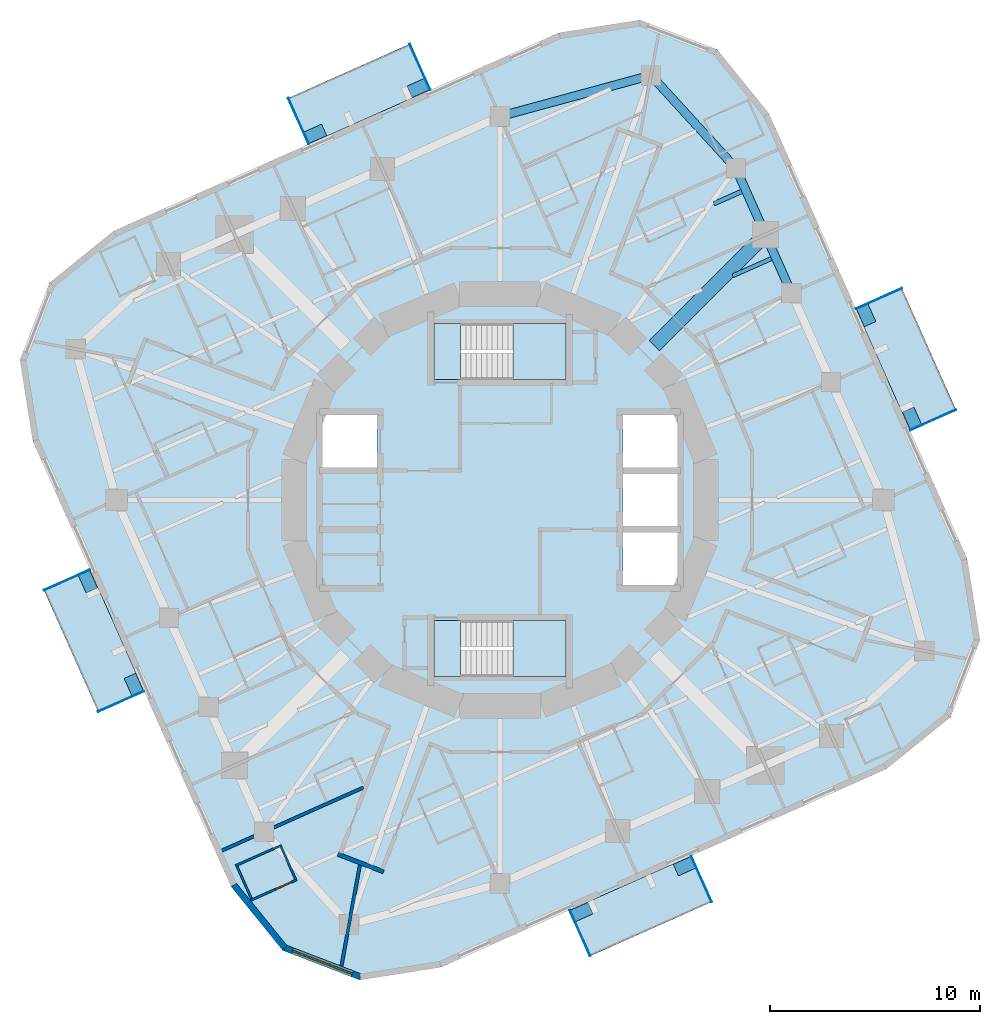
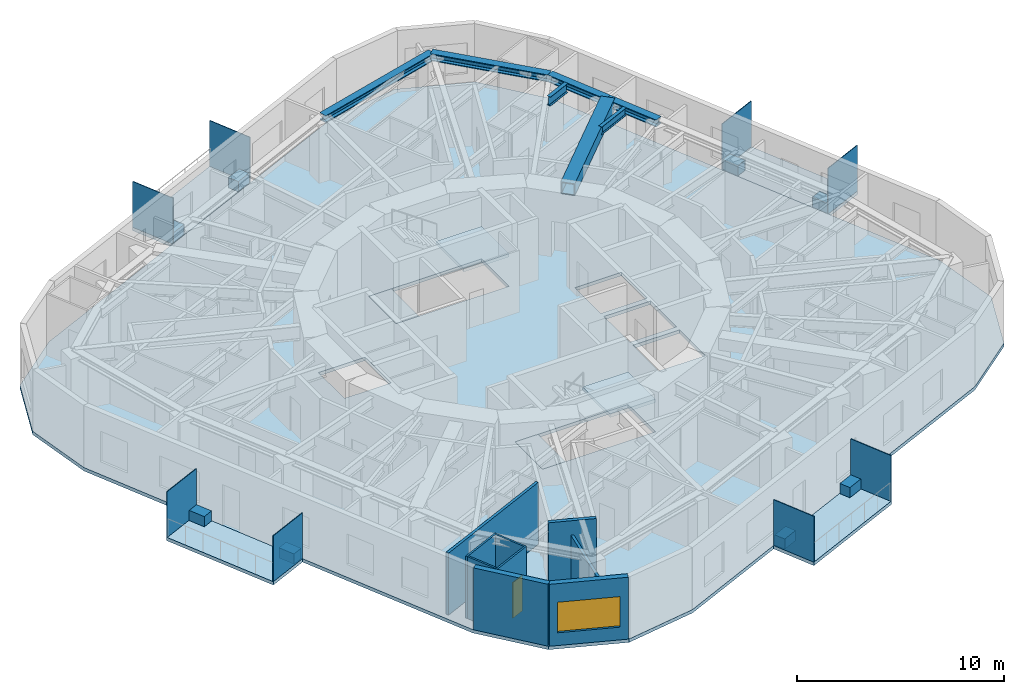
# One storey, part 3 of 12: 16 plates, 9 slabs, 9 walls, 5 members, 2 beams, 1 door, 1 window, 2 openings, 2 elements without a shape of their own.
"""IFC4 building model written with IfcOpenShell, lengths in metres."""

from ifc_helpers import new_model, si_unit, direction, frame, frame_2d, origin, origin_2d, place, context, subcontext, project, spatial, polyline, rectangle, hollow_rectangle, i_section, outline, extrude, material, layer, layer_set, material_profile, profile_set, type_object, element, fill, aggregate, save


model = new_model("IFC4")

# Units and contexts
model_context = context("Model", 3, precision=1e-05, world=origin(), true_north=direction((0.0, 1.0)))
body_context = subcontext(model_context, "Body", "Model", "MODEL_VIEW")
ifc_project = project(units=[si_unit("LENGTHUNIT", "METRE"), si_unit("AREAUNIT", "SQUARE_METRE"), si_unit("VOLUMEUNIT", "CUBIC_METRE"), si_unit("PLANEANGLEUNIT", "RADIAN"), si_unit("MASSUNIT", "GRAM", prefix="KILO")], contexts=[model_context])

# Site, building, storey
site_placement = place(None, origin())
site = spatial("IfcSite", under=ifc_project, at=site_placement, CompositionType="ELEMENT")
building_placement = place(site_placement, origin())
building = spatial("IfcBuilding", under=site, at=building_placement, Name="Nakasero Lantern House", CompositionType="ELEMENT")
storey_placement = place(building_placement, frame((0.0, 0.0, 213.25)))
storey = spatial("IfcBuildingStorey", under=building, at=storey_placement, Name="L52", CompositionType="ELEMENT", Elevation=213.25)

# Members
ifc_material_1 = material(Name="Steel S355", Category="steel")
ifc_material_profile_1 = material_profile(ifc_material_1, i_section(OverallWidth=0.406982421875, OverallDepth=0.4189453125, WebThickness=0.030517578125, FlangeThickness=0.04931640625, FilletRadius=0.01513671875, at=origin_2d()), Name="UC 356x406x393")
ifc_profile_set_1 = profile_set([ifc_material_profile_1], Name="Steel S355")
member_type_1 = type_object("IfcMemberType", Name="Belt truss chord UC 356x406x393", PredefinedType="CHORD", material=ifc_profile_set_1)
member_1_placement = place(storey_placement, frame((13.884521484375, 9.87353515625, 3.4404296875), z_axis=(-0.40671251915, 0.913556197925, 0.0), x_axis=(-0.913556197925, -0.40671251915, 0.0)))
element("IfcMember", 1, at=member_1_placement, inside=storey, type_object=member_type_1, Name="Belt truss bottom chord T5 B5-C05", PredefinedType="CHORD", context=body_context, shape_type="SweptSolid", body=[
    extrude(i_section(OverallWidth=0.406982421875, OverallDepth=0.4189453125, WebThickness=0.030517578125, FlangeThickness=0.04931640625, FilletRadius=0.01513671875, at=origin_2d()), origin(), (0.0, 0.0, 1.0), 3.0380859375),
])
member_2_placement = place(storey_placement, frame((12.64892578125, 12.64892578125, 3.4404296875), z_axis=(-0.406760506795, 0.913534832457, 0.0), x_axis=(-0.913534832457, -0.406760506795, 0.0)))
element("IfcMember", 2, at=member_2_placement, inside=storey, type_object=member_type_1, Name="Belt truss bottom chord T5 B5-C06", PredefinedType="CHORD", context=body_context, shape_type="SweptSolid", body=[
    extrude(i_section(OverallWidth=0.406982421875, OverallDepth=0.4189453125, WebThickness=0.030517578125, FlangeThickness=0.04931640625, FilletRadius=0.01513671875, at=origin_2d()), origin(), (0.0, 0.0, 1.0), 3.458984375),
])
member_3_placement = place(storey_placement, frame((11.241943359375, 15.808837890625, 3.4404296875), z_axis=(-0.674771099966, 0.73802707447, 0.0), x_axis=(-0.73802707447, -0.674771099966, 0.0)))
element("IfcMember", 3, at=member_3_placement, inside=storey, type_object=member_type_1, Name="Belt truss bottom chord T5 B5-C07", PredefinedType="CHORD", context=body_context, shape_type="SweptSolid", body=[
    extrude(i_section(OverallWidth=0.406982421875, OverallDepth=0.4189453125, WebThickness=0.030517578125, FlangeThickness=0.04931640625, FilletRadius=0.01513671875, at=origin_2d()), origin(), (0.0, 0.0, 1.0), 5.997802734375),
])
member_4_placement = place(storey_placement, frame((7.19482421875, 20.2353515625, 3.4404296875), z_axis=(-0.965015017941, -0.26219461312, 0.0), x_axis=(0.26219461312, -0.965015017941, 0.0)))
element("IfcMember", 4, at=member_4_placement, inside=storey, type_object=member_type_1, Name="Belt truss bottom chord T5 B5-C08", PredefinedType="CHORD", context=body_context, shape_type="SweptSolid", body=[
    extrude(i_section(OverallWidth=0.406982421875, OverallDepth=0.4189453125, WebThickness=0.030517578125, FlangeThickness=0.04931640625, FilletRadius=0.01513671875, at=origin_2d()), origin(), (0.0, 0.0, 1.0), 7.45556640625),
])

# Beams
ifc_material_2 = material(Name="Steel S355", Category="steel")
ifc_material_profile_2 = material_profile(ifc_material_2, i_section(OverallWidth=0.19140625, OverallDepth=0.4599609375, WebThickness=0.010009765625, FlangeThickness=0.01611328125, FilletRadius=0.01025390625, at=origin_2d()), Name="UB 457x191x82")
ifc_profile_set_2 = profile_set([ifc_material_profile_2], Name="Steel S355")
beam_type_1 = type_object("IfcBeamType", Name="Infill beam UB 457x191x82", PredefinedType="JOIST", material=ifc_profile_set_2)
beam_1_placement = place(storey_placement, frame((11.08984375, 10.684326171875, 3.419921875), z_axis=(0.913527183156, 0.406777685764, 0.0), x_axis=(-0.406777685764, 0.913527183156, 0.0)))
element("IfcBeam", 5, at=beam_1_placement, inside=storey, type_object=beam_type_1, Name="Infill beam L53 09.4", PredefinedType="JOIST", context=body_context, shape_type="SweptSolid", body=[
    extrude(i_section(OverallWidth=0.19140625, OverallDepth=0.4599609375, WebThickness=0.010009765625, FlangeThickness=0.01611328125, FilletRadius=0.01025390625, at=origin_2d()), origin(), (0.0, 0.0, 1.0), 2.01953125),
])
ifc_material_3 = material(Name="Steel S355", Category="steel")
ifc_material_profile_3 = material_profile(ifc_material_3, i_section(OverallWidth=0.2099609375, OverallDepth=0.53662109375, WebThickness=0.0107421875, FlangeThickness=0.017333984375, FilletRadius=0.0126953125, at=origin_2d()), Name="UB 533x210x101")
ifc_profile_set_3 = profile_set([ifc_material_profile_3], Name="Steel S355")
beam_type_2 = type_object("IfcBeamType", Name="Infill beam UB 533x210x101", PredefinedType="JOIST", material=ifc_profile_set_3)
beam_2_placement = place(storey_placement, frame((10.1943359375, 14.116943359375, 3.381591796875), z_axis=(0.913546008639, 0.406735405515, 0.0), x_axis=(-0.406735405515, 0.913546008639, 0.0)))
element("IfcBeam", 6, at=beam_2_placement, inside=storey, type_object=beam_type_2, Name="Infill beam L53 10.5", PredefinedType="JOIST", context=body_context, shape_type="SweptSolid", body=[
    extrude(i_section(OverallWidth=0.2099609375, OverallDepth=0.53662109375, WebThickness=0.0107421875, FlangeThickness=0.017333984375, FilletRadius=0.0126953125, at=origin_2d()), origin(), (0.0, 0.0, 1.0), 1.44189453125),
])

# Member
ifc_material_4 = material(Name="Steel S355", Category="steel")
ifc_material_profile_4 = material_profile(ifc_material_4, hollow_rectangle(XDim=0.699951171875, YDim=0.699951171875, WallThickness=0.050048828125, at=origin_2d()), Name="BOX 700x700x50")
ifc_profile_set_4 = profile_set([ifc_material_profile_4], Name="Steel S355")
member_type_2 = type_object("IfcMemberType", Name="Outrigger chord BOX 700x700x50", PredefinedType="CHORD", material=ifc_profile_set_4)
member_5_placement = place(storey_placement, frame((12.64892578125, 12.64892578125, 3.300048828125), z_axis=(-0.707106781187, -0.707106781187, 0.0), x_axis=(0.707106781187, -0.707106781187, 0.0)))
element("IfcMember", 7, at=member_5_placement, inside=storey, type_object=member_type_2, Name="Outrigger chord L53 B5-C06", PredefinedType="CHORD", context=body_context, shape_type="SweptSolid", body=[
    extrude(hollow_rectangle(XDim=0.699951171875, YDim=0.699951171875, WallThickness=0.050048828125, at=origin_2d()), origin(), (0.0, 0.0, 1.0), 7.48046875),
])

# Plates
ifc_material_5 = material(Name="Aluminium 6063-T6", Category="aluminium")
ifc_layer_1 = layer(ifc_material_5, 0.60009765625)
ifc_layer_set_1 = layer_set([ifc_layer_1], Name="Balcony planter 600x900")
plate_type_1 = type_object("IfcPlateType", Name="Balcony planter 600x900", PredefinedType="USERDEFINED", material=ifc_layer_set_1)
for number, where, z_axis, x_axis, name in (
    (8, (19.629638671875, 3.90283203125, 0.0), (0.0, 0.0, 1.0), (0.913545457643, 0.406736643076, 0.0), "Balcony PLANTER L52 BAL0A"),
    (9, (17.452880859375, 8.791748046875, 0.0), (0.0, 0.0, 1.0), (0.913545457643, 0.406736643076, 0.0), "Balcony PLANTER L52 BAL0B"),
    (10, (-3.90283203125, 19.629638671875, 0.0), (0.0, 0.0, 1.0), (-0.406736643076, 0.913545457643, 0.0), "Balcony PLANTER L52 BAL1A"),
    (11, (-8.791748046875, 17.452880859375, 0.0), (0.0, 0.0, 1.0), (-0.406736643076, 0.913545457643, 0.0), "Balcony PLANTER L52 BAL1B"),
    (12, (-19.629638671875, -3.90283203125, 0.0), (0.0, 0.0, 1.0), (-0.913545457643, -0.406736643076, 0.0), "Balcony PLANTER L52 BAL2A"),
    (13, (-17.452880859375, -8.791748046875, 0.0), (0.0, 0.0, 1.0), (-0.913545457643, -0.406736643076, 0.0), "Balcony PLANTER L52 BAL2B"),
    (14, (3.90283203125, -19.629638671875, 0.0), (0.0, 0.0, 1.0), (0.406736643076, -0.913545457643, 0.0), "Balcony PLANTER L52 BAL3A"),
    (15, (8.791748046875, -17.452880859375, 0.0), (0.0, 0.0, 1.0), (0.406736643076, -0.913545457643, 0.0), "Balcony PLANTER L52 BAL3B"),
):
    element("IfcPlate", number, at=place(storey_placement, frame(where, z_axis=z_axis, x_axis=x_axis)), inside=storey, type_object=plate_type_1, Name=name, ObjectType="PLANTER", PredefinedType="USERDEFINED", context=body_context, shape_type="SweptSolid", body=[
        extrude(rectangle(XDim=0.60009765625, YDim=0.89990234375, at=origin_2d()), origin(), (0.0, 0.0, 1.0), 0.60009765625),
    ])
ifc_material_6 = material(Name="Aluminium 6063-T6", Category="aluminium")
ifc_layer_2 = layer(ifc_material_6, 0.0400390625)
ifc_layer_set_2 = layer_set([ifc_layer_2], Name="Balcony screen 2400x2700")
plate_type_2 = type_object("IfcPlateType", Name="Balcony screen 2400x2700", PredefinedType="SHEET", material=ifc_layer_set_2)
for number, where, z_axis, x_axis, name in (
    (16, (20.6328125, 3.813232421875, 0.0), (0.0, 0.0, 1.0), (0.913545457643, 0.406736643076, 0.0), "Balcony SCREEN L52 BAL0A"),
    (17, (18.0576171875, 9.59716796875, 0.0), (0.0, 0.0, 1.0), (0.913545457643, 0.406736643076, 0.0), "Balcony SCREEN L52 BAL0B"),
    (18, (-3.813232421875, 20.6328125, 0.0), (0.0, 0.0, 1.0), (-0.406736643076, 0.913545457643, 0.0), "Balcony SCREEN L52 BAL1A"),
    (19, (-9.59716796875, 18.0576171875, 0.0), (0.0, 0.0, 1.0), (-0.406736643076, 0.913545457643, 0.0), "Balcony SCREEN L52 BAL1B"),
    (20, (-20.6328125, -3.813232421875, 0.0), (0.0, 0.0, 1.0), (-0.913545457643, -0.406736643076, 0.0), "Balcony SCREEN L52 BAL2A"),
    (21, (-18.0576171875, -9.59716796875, 0.0), (0.0, 0.0, 1.0), (-0.913545457643, -0.406736643076, 0.0), "Balcony SCREEN L52 BAL2B"),
    (22, (3.813232421875, -20.6328125, 0.0), (0.0, 0.0, 1.0), (0.406736643076, -0.913545457643, 0.0), "Balcony SCREEN L52 BAL3A"),
    (23, (9.59716796875, -18.0576171875, 0.0), (0.0, 0.0, 1.0), (0.406736643076, -0.913545457643, 0.0), "Balcony SCREEN L52 BAL3B"),
):
    element("IfcPlate", number, at=place(storey_placement, frame(where, z_axis=z_axis, x_axis=x_axis)), inside=storey, type_object=plate_type_2, Name=name, PredefinedType="SHEET", context=body_context, shape_type="SweptSolid", body=[
        extrude(rectangle(XDim=2.39990234375, YDim=0.0400390625, at=origin_2d()), origin(), (0.0, 0.0, 1.0), 2.699951171875),
    ])

# Slabs
ifc_material_7 = material(Name="Concrete C35/45", Category="concrete")
ifc_layer_3 = layer(ifc_material_7, 0.199951171875)
ifc_layer_set_3 = layer_set([ifc_layer_3], Name="Balcony slab 200")
slab_type_1 = type_object("IfcSlabType", Name="Balcony slab 200", PredefinedType="USERDEFINED", material=ifc_layer_set_3)
slab_1_placement = place(storey_placement, frame((0.0, 0.0, -0.199951171875)))
element("IfcSlab", 24, at=slab_1_placement, inside=storey, type_object=slab_type_1, Name="Balcony L52 BAL0", ObjectType="BALCONY", PredefinedType="USERDEFINED", context=body_context, shape_type="SweptSolid", body=[
    extrude(outline(polyline([(19.544677734375, 3.306884765625), (21.7373046875, 4.282958984375), (19.145751953125, 10.103515625), (16.953125, 9.12744140625), (19.544677734375, 3.306884765625)])), origin(), (0.0, 0.0, 1.0), 0.199951171875),
])
slab_2_placement = place(storey_placement, frame((0.0, 0.0, -0.199951171875)))
element("IfcSlab", 25, at=slab_2_placement, inside=storey, type_object=slab_type_1, Name="Balcony L52 BAL1", ObjectType="BALCONY", PredefinedType="USERDEFINED", context=body_context, shape_type="SweptSolid", body=[
    extrude(outline(polyline([(-3.306884765625, 19.544677734375), (-4.282958984375, 21.7373046875), (-10.103515625, 19.145751953125), (-9.12744140625, 16.953125), (-3.306884765625, 19.544677734375)])), origin(), (0.0, 0.0, 1.0), 0.199951171875),
])
slab_3_placement = place(storey_placement, frame((0.0, 0.0, -0.199951171875)))
element("IfcSlab", 26, at=slab_3_placement, inside=storey, type_object=slab_type_1, Name="Balcony L52 BAL2", ObjectType="BALCONY", PredefinedType="USERDEFINED", context=body_context, shape_type="SweptSolid", body=[
    extrude(outline(polyline([(-19.544677734375, -3.306884765625), (-21.7373046875, -4.282958984375), (-19.145751953125, -10.103515625), (-16.953125, -9.12744140625), (-19.544677734375, -3.306884765625)])), origin(), (0.0, 0.0, 1.0), 0.199951171875),
])
slab_4_placement = place(storey_placement, frame((0.0, 0.0, -0.199951171875)))
element("IfcSlab", 27, at=slab_4_placement, inside=storey, type_object=slab_type_1, Name="Balcony L52 BAL3", ObjectType="BALCONY", PredefinedType="USERDEFINED", context=body_context, shape_type="SweptSolid", body=[
    extrude(outline(polyline([(3.306884765625, -19.544677734375), (4.282958984375, -21.7373046875), (10.103515625, -19.145751953125), (9.12744140625, -16.953125), (3.306884765625, -19.544677734375)])), origin(), (0.0, 0.0, 1.0), 0.199951171875),
])
ifc_material_8 = material(Name="Concrete C35/45", Category="concrete")
ifc_layer_4 = layer(ifc_material_8, 0.199951171875)
ifc_layer_set_4 = layer_set([ifc_layer_4], Name="Composite floor slab 200")
slab_type_2 = type_object("IfcSlabType", Name="Composite floor slab 200", PredefinedType="FLOOR", material=ifc_layer_set_4)
slab_5_placement = place(storey_placement, frame((0.0, 0.0, -0.199951171875)))
element("IfcSlab", 28, at=slab_5_placement, inside=storey, type_object=slab_type_2, Name="Floor slab L52", PredefinedType="FLOOR", context=body_context, shape_type="SweptSolid", body=[
    extrude(outline(polyline([(12.822021484375, 18.406494140625), (10.34619140625, 21.4638671875), (6.67333984375, 22.87353515625), (2.787841796875, 22.25830078125), (-18.406494140625, 12.822021484375), (-21.4638671875, 10.34619140625), (-22.87353515625, 6.67333984375), (-22.25830078125, 2.787841796875), (-12.822021484375, -18.406494140625), (-10.34619140625, -21.4638671875), (-6.67333984375, -22.87353515625), (-2.787841796875, -22.25830078125), (18.406494140625, -12.822021484375), (21.4638671875, -10.34619140625), (22.87353515625, -6.67333984375), (22.25830078125, -2.787841796875), (12.822021484375, 18.406494140625)]), holes=[polyline([(-8.449951171875, 1.550048828125), (-5.85009765625, 1.550048828125), (-5.85009765625, 4.050048828125), (-8.449951171875, 4.050048828125), (-8.449951171875, 1.550048828125)]), polyline([(5.85009765625, -4.050048828125), (8.449951171875, -4.050048828125), (8.449951171875, -1.550048828125), (5.85009765625, -1.550048828125), (5.85009765625, -4.050048828125)]), polyline([(5.85009765625, -1.25), (8.449951171875, -1.25), (8.449951171875, 1.25), (5.85009765625, 1.25), (5.85009765625, -1.25)]), polyline([(5.85009765625, 1.550048828125), (8.449951171875, 1.550048828125), (8.449951171875, 4.050048828125), (5.85009765625, 4.050048828125), (5.85009765625, 1.550048828125)]), polyline([(-3.14990234375, 5.75), (3.14990234375, 5.75), (3.14990234375, 8.39990234375), (-3.14990234375, 8.39990234375), (-3.14990234375, 5.75)]), polyline([(-3.14990234375, -8.39990234375), (3.14990234375, -8.39990234375), (3.14990234375, -5.75), (-3.14990234375, -5.75), (-3.14990234375, -8.39990234375)])]), origin(), (0.0, 0.0, 1.0), 0.199951171875),
])

# Stair, slabs
ifc_material_9 = material(Name="Concrete C40/50", Category="concrete")
stair_type_1 = type_object("IfcStairType", Name="Escape stair ST1 22 risers", PredefinedType="HALF_TURN_STAIR", material=ifc_material_9)
stair_1_placement = place(storey_placement, origin())
stair_1 = element("IfcStair", 29, at=stair_1_placement, inside=storey, type_object=stair_type_1, Name="Escape stair ST1 L52", PredefinedType="HALF_TURN_STAIR")
ifc_material_10 = material(Name="Concrete C40/50", Category="concrete")
ifc_layer_5 = layer(ifc_material_10, 0.199951171875)
ifc_layer_set_5 = layer_set([ifc_layer_5], Name="Stair landing 200")
slab_type_3 = type_object("IfcSlabType", Name="Stair landing 200", PredefinedType="LANDING", material=ifc_layer_set_5)
slab_6_placement = place(storey_placement, frame((0.0, 0.0, -0.199951171875)))
slab_6 = element("IfcSlab", 30, at=slab_6_placement, type_object=slab_type_3, Name="ST1 landing 1", PredefinedType="LANDING", context=body_context, shape_type="SweptSolid", body=[
    extrude(outline(polyline([(-3.14990234375, 5.75), (-1.875, 5.75), (-1.875, 8.39990234375), (-3.14990234375, 8.39990234375), (-3.14990234375, 5.75)])), origin(), (0.0, 0.0, 1.0), 0.199951171875),
])
slab_7_placement = place(storey_placement, frame((0.0, 0.0, 1.72509765625)))
slab_7 = element("IfcSlab", 31, at=slab_7_placement, type_object=slab_type_3, Name="ST1 landing 2", PredefinedType="LANDING", context=body_context, shape_type="SweptSolid", body=[
    extrude(outline(polyline([(0.625, 5.75), (3.14990234375, 5.75), (3.14990234375, 8.39990234375), (0.625, 8.39990234375), (0.625, 5.75)])), origin(), (0.0, 0.0, 1.0), 0.199951171875),
])
aggregate(stair_1, [slab_6, slab_7])

ifc_material_11 = material(Name="Concrete C40/50", Category="concrete")
stair_type_2 = type_object("IfcStairType", Name="Escape stair ST2 22 risers", PredefinedType="HALF_TURN_STAIR", material=ifc_material_11)
stair_2_placement = place(storey_placement, origin())
stair_2 = element("IfcStair", 32, at=stair_2_placement, inside=storey, type_object=stair_type_2, Name="Escape stair ST2 L52", PredefinedType="HALF_TURN_STAIR")
slab_8_placement = place(storey_placement, frame((0.0, 0.0, -0.199951171875)))
slab_8 = element("IfcSlab", 33, at=slab_8_placement, type_object=slab_type_3, Name="ST2 landing 1", PredefinedType="LANDING", context=body_context, shape_type="SweptSolid", body=[
    extrude(outline(polyline([(-3.14990234375, -8.39990234375), (-1.875, -8.39990234375), (-1.875, -5.75), (-3.14990234375, -5.75), (-3.14990234375, -8.39990234375)])), origin(), (0.0, 0.0, 1.0), 0.199951171875),
])
slab_9_placement = place(storey_placement, frame((0.0, 0.0, 1.72509765625)))
slab_9 = element("IfcSlab", 34, at=slab_9_placement, type_object=slab_type_3, Name="ST2 landing 2", PredefinedType="LANDING", context=body_context, shape_type="SweptSolid", body=[
    extrude(outline(polyline([(0.625, -8.39990234375), (3.14990234375, -8.39990234375), (3.14990234375, -5.75), (0.625, -5.75), (0.625, -8.39990234375)])), origin(), (0.0, 0.0, 1.0), 0.199951171875),
])
aggregate(stair_2, [slab_8, slab_9])

# Wall
ifc_material_12 = material(Name="Blockwork", Category="masonry")
ifc_layer_6 = layer(ifc_material_12, 0.199951171875)
ifc_layer_set_6 = layer_set([ifc_layer_6], Name="Corridor wall 200")
wall_type_1 = type_object("IfcWallType", Name="Corridor wall 200", PredefinedType="PARTITIONING", material=ifc_layer_set_6)
wall_1_placement = place(storey_placement, frame((-7.73193359375, -16.8779296875, 0.0), z_axis=(0.0, 0.0, 1.0), x_axis=(0.933573982139, -0.35838473722, 0.0)))
element("IfcWall", 35, at=wall_1_placement, inside=storey, type_object=wall_type_1, Name="Corridor wall L52 SP2e", PredefinedType="PARTITIONING", context=body_context, shape_type="SweptSolid", body=[
    extrude(rectangle(XDim=2.340087890625, YDim=0.199951171875, at=frame_2d((1.169921875, 0.0))), origin(), (0.0, 0.0, 1.0), 3.64990234375),
])

# Wall, opening, door
ifc_material_13 = material(Name="Blockwork", Category="masonry")
ifc_layer_7 = layer(ifc_material_13, 0.10009765625)
ifc_layer_set_7 = layer_set([ifc_layer_7], Name="En-suite wall 100")
wall_type_2 = type_object("IfcWallType", Name="En-suite wall 100", PredefinedType="PARTITIONING", material=ifc_layer_set_7)
wall_2_placement = place(storey_placement, frame((-9.676025390625, -18.0947265625, 0.0), z_axis=(0.0, 0.0, 1.0), x_axis=(-0.913568090055, -0.406685806039, 0.0)))
wall_2 = element("IfcWall", 36, at=wall_2_placement, inside=storey, type_object=wall_type_2, Name="En-suite wall L52 ES2-06", PredefinedType="PARTITIONING", context=body_context, shape_type="SweptSolid", body=[
    extrude(rectangle(XDim=2.400146484375, YDim=0.10009765625, at=frame_2d((1.2001953125, 0.0))), origin(), (0.0, 0.0, 1.0), 3.64990234375),
])
opening_1_placement = place(wall_2_placement, frame((0.300048828125, 0.0, 0.0)))
opening_1 = element("IfcOpeningElement", 37, at=opening_1_placement, cuts=wall_2, Name="Opening D02", PredefinedType="OPENING", context=body_context, shape_type="SweptSolid", body=[
    extrude(rectangle(XDim=0.800048828125, YDim=2.10009765625, at=frame_2d((0.39990234375, 1.050048828125))), frame((0.0, 0.070068359375, 0.0), z_axis=(0.0, -1.0, 0.0), x_axis=(1.0, 0.0, 0.0)), (0.0, 0.0, 1.0), 0.14013671875),
])
ifc_material_14 = material(Name="Timber C24", Category="wood")
door_type = type_object("IfcDoorType", Name="En-suite door 800", OperationType="SINGLE_SWING_RIGHT", PredefinedType="DOOR", material=ifc_material_14)
door_placement = place(opening_1_placement, origin())
door = element("IfcDoor", 38, at=door_placement, inside=storey, type_object=door_type, Name="Door L52 DE2-06", OperationType="SINGLE_SWING_LEFT", OverallHeight=2.10009765625, OverallWidth=0.800048828125, PredefinedType="DOOR", context=body_context, shape_type="SweptSolid", body=[
    extrude(rectangle(XDim=0.800048828125, YDim=2.10009765625, at=frame_2d((0.39990234375, 1.050048828125))), frame((0.0, 0.02490234375, 0.0), z_axis=(0.0, -1.0, 0.0), x_axis=(1.0, 0.0, 0.0)), (0.0, 0.0, 1.0), 0.050048828125),
])
fill(opening_1, door)

# Walls
wall_3_placement = place(storey_placement, frame((-10.408203125, -16.4501953125, 0.0), z_axis=(0.0, 0.0, 1.0), x_axis=(-0.913513461389, -0.406808500233, 0.0)))
element("IfcWall", 39, at=wall_3_placement, inside=storey, type_object=wall_type_2, Name="En-suite wall L52 EV2-06", PredefinedType="PARTITIONING", context=body_context, shape_type="SweptSolid", body=[
    extrude(rectangle(XDim=2.39990234375, YDim=0.10009765625, at=frame_2d((1.199951171875, 0.0))), origin(), (0.0, 0.0, 1.0), 3.64990234375),
])
wall_4_placement = place(storey_placement, frame((-12.53466796875, -17.45166015625, 0.0), z_axis=(0.0, 0.0, 1.0), x_axis=(0.406671340378, -0.91357452948, 0.0)))
element("IfcWall", 40, at=wall_4_placement, inside=storey, type_object=wall_type_2, Name="En-suite wall L52 EE2-06", PredefinedType="PARTITIONING", context=body_context, shape_type="SweptSolid", body=[
    extrude(rectangle(XDim=1.7001953125, YDim=0.10009765625, at=frame_2d((0.85009765625, 0.0))), origin(), (0.0, 0.0, 1.0), 3.64990234375),
])
wall_5_placement = place(storey_placement, frame((-10.43359375, -16.516357421875, 0.0), z_axis=(0.0, 0.0, 1.0), x_axis=(0.406724697108, -0.913550776237, 0.0)))
element("IfcWall", 41, at=wall_5_placement, inside=storey, type_object=wall_type_2, Name="En-suite wall L52 EI2-06", PredefinedType="PARTITIONING", context=body_context, shape_type="SweptSolid", body=[
    extrude(rectangle(XDim=1.699951171875, YDim=0.10009765625, at=frame_2d((0.85009765625, 0.0))), origin(), (0.0, 0.0, 1.0), 3.64990234375),
])
ifc_material_15 = material(Name="Aluminium rainscreen on blockwork", Category="masonry")
ifc_layer_8 = layer(ifc_material_15, 0.300048828125)
ifc_layer_set_8 = layer_set([ifc_layer_8], Name="Facade wall 300")
wall_type_3 = type_object("IfcWallType", Name="Facade wall 300", PredefinedType="SOLIDWALL", material=ifc_layer_set_8)
wall_6_placement = place(storey_placement, frame((-12.684814453125, -18.345458984375, 0.0), z_axis=(0.0, 0.0, 1.0), x_axis=(0.629285642335, -0.777174099125, 0.0)))
element("IfcWall", 42, at=wall_6_placement, inside=storey, type_object=wall_type_3, Name="Facade wall L52 FW2C1", PredefinedType="SOLIDWALL", context=body_context, shape_type="SweptSolid", body=[
    extrude(rectangle(XDim=3.8564453125, YDim=0.300048828125, at=frame_2d((1.92822265625, 0.0))), origin(), (0.0, 0.0, 1.0), 3.64990234375),
])

# Wall, opening, window
wall_7_placement = place(storey_placement, frame((-10.258056640625, -21.342529296875, 0.0), z_axis=(0.0, 0.0, 1.0), x_axis=(0.933598278948, -0.358321438858, 0.0)))
wall_7 = element("IfcWall", 43, at=wall_7_placement, inside=storey, type_object=wall_type_3, Name="Facade wall L52 FW2C2", PredefinedType="SOLIDWALL", context=body_context, shape_type="SweptSolid", body=[
    extrude(rectangle(XDim=3.8564453125, YDim=0.300048828125, at=frame_2d((1.92822265625, 0.0))), origin(), (0.0, 0.0, 1.0), 3.64990234375),
])
opening_2_placement = place(wall_7_placement, frame((0.39990234375, 0.0, 0.75)))
opening_2 = element("IfcOpeningElement", 44, at=opening_2_placement, cuts=wall_7, Name="Opening W230", PredefinedType="OPENING", context=body_context, shape_type="SweptSolid", body=[
    extrude(rectangle(XDim=3.055908203125, YDim=1.800048828125, at=frame_2d((1.52783203125, 0.89990234375))), frame((0.0, 0.169921875, 0.0), z_axis=(0.0, -1.0, 0.0), x_axis=(1.0, 0.0, 0.0)), (0.0, 0.0, 1.0), 0.340087890625),
])
ifc_material_16 = material(Name="Aluminium 6063-T6 and glass", Category="aluminium")
window_type = type_object("IfcWindowType", Name="Corner window 3056x1800", PartitioningType="SINGLE_PANEL", PredefinedType="WINDOW", material=ifc_material_16)
window_placement = place(opening_2_placement, origin())
window = element("IfcWindow", 45, at=window_placement, inside=storey, type_object=window_type, Name="Window L52 WC2", OverallHeight=1.800048828125, OverallWidth=3.055908203125, PartitioningType="SINGLE_PANEL", PredefinedType="WINDOW", context=body_context, shape_type="SweptSolid", body=[
    extrude(rectangle(XDim=3.055908203125, YDim=1.800048828125, at=frame_2d((1.52783203125, 0.89990234375))), frame((0.0, 0.030029296875, 0.0), z_axis=(0.0, -1.0, 0.0), x_axis=(1.0, 0.0, 0.0)), (0.0, 0.0, 1.0), 0.06005859375),
])
fill(opening_2, window)

# Walls
ifc_material_17 = material(Name="Blockwork", Category="masonry")
ifc_layer_9 = layer(ifc_material_17, 0.14990234375)
ifc_layer_set_9 = layer_set([ifc_layer_9], Name="Party wall 150")
wall_type_4 = type_object("IfcWallType", Name="Party wall 150", PredefinedType="PARTITIONING", material=ifc_layer_set_9)
wall_8_placement = place(storey_placement, frame((-6.513671875, -13.70361328125, 0.0), z_axis=(0.0, 0.0, 1.0), x_axis=(-0.913543815508, -0.406740331351, 0.0)))
element("IfcWall", 46, at=wall_8_placement, inside=storey, type_object=wall_type_4, Name="Party wall L52 PW2-06", PredefinedType="PARTITIONING", context=body_context, shape_type="SweptSolid", body=[
    extrude(rectangle(XDim=7.375732421875, YDim=0.14990234375, at=frame_2d((3.68798828125, 0.0))), origin(), (0.0, 0.0, 1.0), 3.64990234375),
])
wall_9_placement = place(storey_placement, frame((-6.675537109375, -17.390625, 0.0), z_axis=(0.0, 0.0, 1.0), x_axis=(-0.179569012156, -0.983745378578, 0.0)))
element("IfcWall", 47, at=wall_9_placement, inside=storey, type_object=wall_type_4, Name="Party wall L52 PW3-00", PredefinedType="PARTITIONING", context=body_context, shape_type="SweptSolid", body=[
    extrude(rectangle(XDim=4.902587890625, YDim=0.14990234375, at=frame_2d((2.451171875, 0.0))), origin(), (0.0, 0.0, 1.0), 2.809326171875),
])

save(model, "model.ifc")
